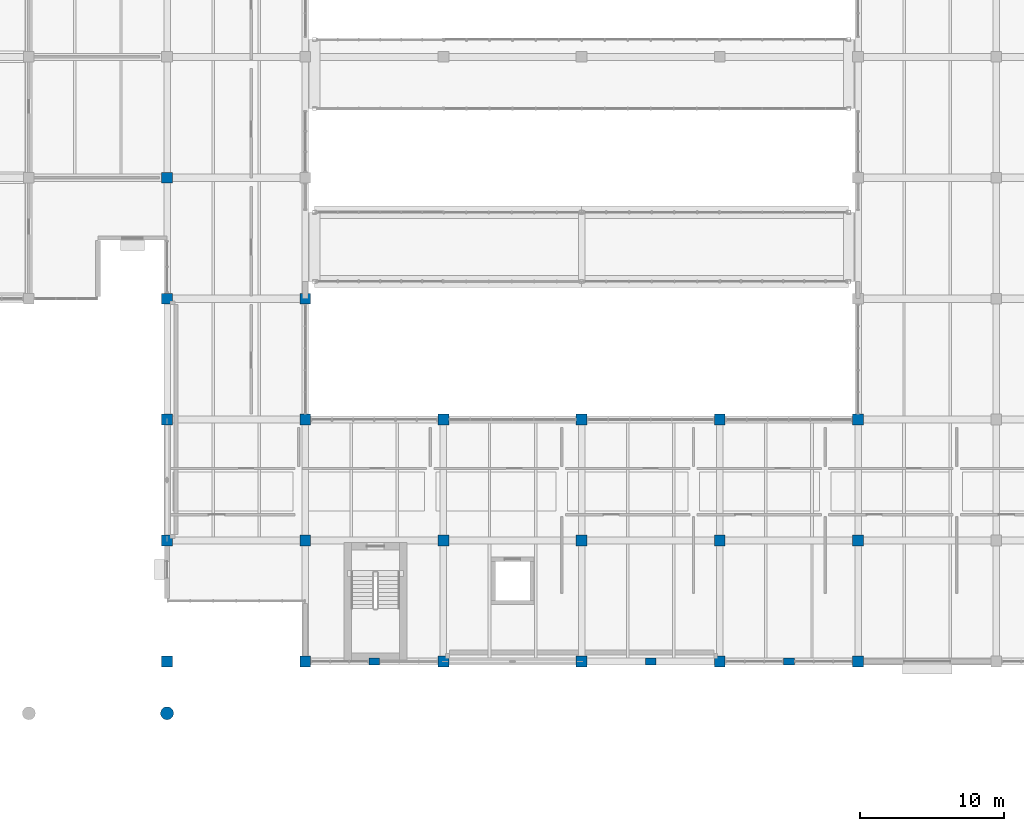
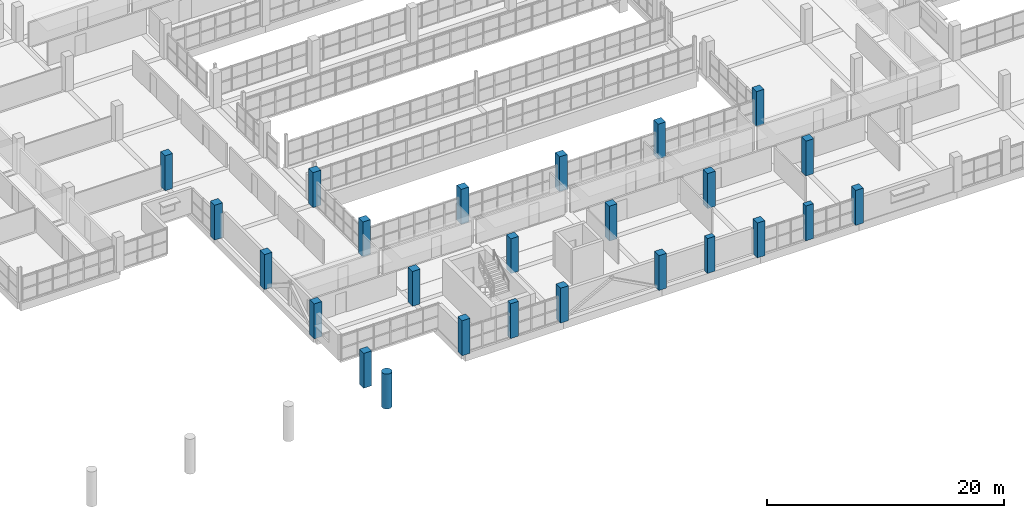
# One storey, part 14 of 147: 25 columns.
"""IFC4 building model written with IfcOpenShell, lengths in metres."""

import ifcopenshell
import ifcopenshell.guid

model = None  # the IFC model being written
_history = None  # IfcOwnerHistory: only IFC2X3 demands one
_inside = {}  # id of a spatial element -> (the spatial element, [elements in it])
_under = {}  # id of a project, library or spatial element -> (it, [spatial elements below it])
_declared = {}  # id of a project -> (the project, [libraries it declares])
_typed = {}  # id of a type object -> (the type object, [elements of that type])
_made_of = {}  # id of a material, layer set ... -> (it, [elements and type objects made of it])


def new_model(schema):
    """Start an empty IFC model of exactly this schema.

    Asked for "IFC4X3", IfcOpenShell would pick the latest addendum, in which some entities
    have other attributes; the version numbers below select the first issue.
    IFC2X3 requires an IfcOwnerHistory on every rooted entity: one is made here for all.
    """
    global model, _history
    if schema == "IFC4X3":
        model = ifcopenshell.file(schema_version=(4, 3, 0, 0))
    else:
        model = ifcopenshell.file(schema=schema)
    _inside.clear()
    _under.clear()
    _declared.clear()
    _typed.clear()
    _made_of.clear()
    _history = None
    if model.schema == "IFC2X3":
        org = make("IfcOrganization", Name="unknown")
        user = make(
            "IfcPersonAndOrganization",
            ThePerson=make("IfcPerson", FamilyName="unknown"),
            TheOrganization=org,
        )
        app = make(
            "IfcApplication",
            ApplicationDeveloper=org,
            Version="unknown",
            ApplicationFullName="unknown",
            ApplicationIdentifier="unknown",
        )
        _history = make(
            "IfcOwnerHistory",
            OwningUser=user,
            OwningApplication=app,
            ChangeAction="ADDED",
            CreationDate=0,
        )
    return model


def make(cls, **values):
    """One entity of the class cls with the attributes given. An attribute that is None is left unset."""
    return model.create_entity(
        cls, **{name: value for name, value in values.items() if value is not None}
    )


def rooted(cls, **values):
    """An entity with a GlobalId (a new one), such as an element, a storey or a relation."""
    return make(cls, GlobalId=ifcopenshell.guid.new(), OwnerHistory=_history, **values)


def si_unit(unit_type, name, prefix=None):
    """IfcSIUnit, for example si_unit("LENGTHUNIT", "METRE", prefix="MILLI")."""
    return make("IfcSIUnit", UnitType=unit_type, Prefix=prefix, Name=name)


def assignment(units):
    """IfcUnitAssignment: the units of a project."""
    return None if units is None else make("IfcUnitAssignment", Units=units)


def point(xyz):
    """IfcCartesianPoint."""
    return None if xyz is None else make("IfcCartesianPoint", Coordinates=xyz)


def direction(xyz):
    """IfcDirection."""
    return None if xyz is None else make("IfcDirection", DirectionRatios=xyz)


def frame(location, z_axis=None, x_axis=None):
    """IfcAxis2Placement3D, a coordinate frame: its origin and axes. An axis left out is left unset."""
    return make(
        "IfcAxis2Placement3D",
        Location=point(location),
        Axis=direction(z_axis),
        RefDirection=direction(x_axis),
    )


def frame_2d(location, x_axis=None):
    """IfcAxis2Placement2D, a coordinate frame in the plane: its origin and x axis."""
    return make(
        "IfcAxis2Placement2D", Location=point(location), RefDirection=direction(x_axis)
    )


def origin():
    """The frame at (0, 0, 0) with its axes left unset."""
    return frame((0.0, 0.0, 0.0))


def origin_2d():
    """The frame at (0, 0) in the plane with its x axis left unset."""
    return frame_2d((0.0, 0.0))


def place(relative_to, where):
    """IfcLocalPlacement: puts the frame where relative to a parent placement (None: the world)."""
    return make(
        "IfcLocalPlacement", PlacementRelTo=relative_to, RelativePlacement=where
    )


def context(
    kind, dimensions, precision=None, world=None, true_north=None, identifier=None
):
    """IfcGeometricRepresentationContext, for example the 3D "Model" context."""
    return make(
        "IfcGeometricRepresentationContext",
        ContextIdentifier=identifier,
        ContextType=kind,
        CoordinateSpaceDimension=dimensions,
        Precision=precision,
        WorldCoordinateSystem=world,
        TrueNorth=true_north,
    )


def subcontext(parent, identifier, kind, view, scale=None):
    """IfcGeometricRepresentationSubContext, for example "Body" below "Model"."""
    return make(
        "IfcGeometricRepresentationSubContext",
        ContextIdentifier=identifier,
        ContextType=kind,
        ParentContext=parent,
        TargetScale=scale,
        TargetView=view,
    )


def project(units=None, contexts=None):
    """IfcProject with its units and contexts."""
    return rooted(
        "IfcProject",
        Name="project",
        RepresentationContexts=contexts,
        UnitsInContext=assignment(units),
    )


def spatial(cls, under=None, at=None, **own):
    """A site, building, storey or space (cls), placed at a placement, below another one or the project."""
    s = rooted(cls, ObjectPlacement=at, **own)
    if under is not None:
        _under.setdefault(under.id(), (under, []))[1].append(s)
    return s


def profile(cls, at=None, kind="AREA", **sizes):
    """A parametric profile (cls). Its sizes go by their IFC names, for example OverallWidth=200.0."""
    return make(cls, ProfileType=kind, Position=at, **sizes)


def rectangle(**sizes):
    """IfcRectangleProfileDef."""
    return profile("IfcRectangleProfileDef", **sizes)


def circle(**sizes):
    """IfcCircleProfileDef."""
    return profile("IfcCircleProfileDef", **sizes)


def extrude(swept, where, along, depth):
    """IfcExtrudedAreaSolid: the profile swept, set in the frame where, extruded along a direction by depth."""
    return make(
        "IfcExtrudedAreaSolid",
        SweptArea=swept,
        Position=where,
        ExtrudedDirection=direction(along),
        Depth=depth,
    )


def shape(context_of_items, identifier, shape_type, items):
    """IfcShapeRepresentation: the items that make up one representation, for example the "Body"."""
    return make(
        "IfcShapeRepresentation",
        ContextOfItems=context_of_items,
        RepresentationIdentifier=identifier,
        RepresentationType=shape_type,
        Items=items,
    )


def material(Name=None, Category=None):
    """IfcMaterial."""
    return make("IfcMaterial", Name=Name, Category=Category)


def material_profile(
    of_material, cross_section, Name=None, Category=None, Priority=None
):
    """IfcMaterialProfile: a cross section and its material."""
    return make(
        "IfcMaterialProfile",
        Name=Name,
        Material=of_material,
        Profile=cross_section,
        Priority=Priority,
        Category=Category,
    )


def profile_set(profiles, Name=None, composite=None):
    """IfcMaterialProfileSet."""
    return make(
        "IfcMaterialProfileSet",
        Name=Name,
        MaterialProfiles=profiles,
        CompositeProfile=composite,
    )


def made_of(thing, what):
    """Note that an element or type object is made of a material, layer set ...; save() writes the relation."""
    if what is not None:
        _made_of.setdefault(what.id(), (what, []))[1].append(thing)
    return thing


def type_object(cls, material=None, **own):
    """A type object (cls), such as IfcWallType, which elements share."""
    return made_of(rooted(cls, **own), material)


def element(
    cls,
    number,
    at=None,
    inside=None,
    cuts=None,
    type_object=None,
    material=None,
    context=None,
    identifier="Body",
    shape_type=None,
    held_by="IfcProductDefinitionShape",
    body=None,
    shapes=None,
    **own,
):
    """One element of the class cls, such as IfcWall. Its Tag is "e" and its number.

    at: its placement. inside: the storey or other place that contains it. cuts: it is an
    opening in that element (IfcRelVoidsElement). A single representation is given by context,
    identifier, shape_type and body (its items); several are given by shapes. held_by: the class
    of the entity that holds the representations. save() writes the other relations.
    """
    e = rooted(cls, Tag="e%d" % number, ObjectPlacement=at, **own)
    if body is not None:
        shapes = [shape(context, identifier, shape_type, body)]
    if shapes is not None:
        e.Representation = make(held_by, Representations=shapes)
    if inside is not None:
        _inside.setdefault(inside.id(), (inside, []))[1].append(e)
    if cuts is not None:
        rooted(
            "IfcRelVoidsElement", RelatingBuildingElement=cuts, RelatedOpeningElement=e
        )
    if type_object is not None:
        _typed.setdefault(type_object.id(), (type_object, []))[1].append(e)
    return made_of(e, material)


def aggregate(whole, parts):
    """IfcRelAggregates: a whole, such as a stair, and the parts it consists of."""
    return rooted("IfcRelAggregates", RelatingObject=whole, RelatedObjects=parts)


def save(model, path):
    """Write the relations noted so far, then the file.

    IfcRelAggregates (storeys below a building ...), IfcRelContainedInSpatialStructure (elements
    in a storey), IfcRelDefinesByType, IfcRelAssociatesMaterial and IfcRelDeclares: one each for
    every whole, place, type object, material and project.
    """
    for whole, parts in _under.values():
        aggregate(whole, parts)
    for where, things in _inside.values():
        rooted(
            "IfcRelContainedInSpatialStructure",
            RelatedElements=things,
            RelatingStructure=where,
        )
    for kind, things in _typed.values():
        rooted("IfcRelDefinesByType", RelatedObjects=things, RelatingType=kind)
    for what, things in _made_of.values():
        rooted("IfcRelAssociatesMaterial", RelatedObjects=things, RelatingMaterial=what)
    for by, libraries in _declared.values():
        rooted("IfcRelDeclares", RelatingContext=by, RelatedDefinitions=libraries)
    model.write(path)


model = new_model("IFC4")

# Units and contexts
model_context = context("Model", 3, precision=1e-05, world=origin(), true_north=direction((0.0, 1.0)))
body_context = subcontext(model_context, "Body", "Model", "MODEL_VIEW")
ifc_project = project(units=[si_unit("LENGTHUNIT", "METRE"), si_unit("AREAUNIT", "SQUARE_METRE"), si_unit("VOLUMEUNIT", "CUBIC_METRE"), si_unit("PLANEANGLEUNIT", "RADIAN"), si_unit("MASSUNIT", "GRAM", prefix="KILO")], contexts=[model_context])

# Site, building, storey
site_placement = place(None, origin())
site = spatial("IfcSite", under=ifc_project, at=site_placement, CompositionType="ELEMENT")
building_placement = place(site_placement, origin())
building = spatial("IfcBuilding", under=site, at=building_placement, Name="Oolite Switchyard Hospital", CompositionType="ELEMENT")
storey_placement = place(building_placement, frame((0.0, 0.0, 9.89990234375)))
storey = spatial("IfcBuildingStorey", under=building, at=storey_placement, Name="L02", CompositionType="ELEMENT", Elevation=9.89990234375)

# Columns
ifc_material_1 = material(Name="Precast concrete C40/50", Category="concrete")
ifc_material_profile_1 = material_profile(ifc_material_1, circle(Radius=0.449951171875, at=origin_2d()), Name="RCCOL900")
ifc_profile_set_1 = profile_set([ifc_material_profile_1], Name="Precast concrete C40/50")
column_type_1 = type_object("IfcColumnType", Name="COL-PORT900", PredefinedType="COLUMN", material=ifc_profile_set_1)
column_placement = place(storey_placement, frame((134.39990234375, 4.800048828125, 0.0), z_axis=(0.0, 0.0, 1.0), x_axis=(1.0, 0.0, 0.0)))
element("IfcColumn", 1, at=column_placement, inside=storey, type_object=column_type_1, Name="L02 Column 793", PredefinedType="COLUMN", context=body_context, shape_type="SweptSolid", body=[
    extrude(circle(Radius=0.449951171875, at=origin_2d()), origin(), (0.0, 0.0, 1.0), 3.60009765625),
])
ifc_material_2 = material(Name="Concrete C50/60", Category="concrete")
ifc_material_profile_2 = material_profile(ifc_material_2, rectangle(XDim=0.75, YDim=0.75, at=origin_2d()), Name="RC750X750")
ifc_profile_set_2 = profile_set([ifc_material_profile_2], Name="Concrete C50/60")
column_type_2 = type_object("IfcColumnType", Name="COL-RC750", PredefinedType="COLUMN", material=ifc_profile_set_2)
for number, where, z_axis, x_axis, name in (
    (2, (134.39990234375, 8.39990234375, 0.0), (0.0, 0.0, 1.0), (1.0, 0.0, 0.0), "L02 Column 794"),
    (3, (134.39990234375, 16.800048828125, 0.0), (0.0, 0.0, 1.0), (1.0, 0.0, 0.0), "L02 Column 795"),
    (4, (134.39990234375, 25.199951171875, 0.0), (0.0, 0.0, 1.0), (1.0, 0.0, 0.0), "L02 Column 796"),
    (5, (134.39990234375, 33.60009765625, 0.0), (0.0, 0.0, 1.0), (1.0, 0.0, 0.0), "L02 Column 797"),
    (6, (134.39990234375, 42.0, 0.0), (0.0, 0.0, 1.0), (1.0, 0.0, 0.0), "L02 Column 798"),
    (7, (144.0, 8.39990234375, 0.0), (0.0, 0.0, 1.0), (1.0, 0.0, 0.0), "L02 Column 810"),
    (8, (144.0, 16.800048828125, 0.0), (0.0, 0.0, 1.0), (1.0, 0.0, 0.0), "L02 Column 811"),
    (9, (144.0, 25.199951171875, 0.0), (0.0, 0.0, 1.0), (1.0, 0.0, 0.0), "L02 Column 812"),
    (10, (144.0, 33.60009765625, 0.0), (0.0, 0.0, 1.0), (1.0, 0.0, 0.0), "L02 Column 813"),
    (11, (153.60009765625, 8.39990234375, 0.0), (0.0, 0.0, 1.0), (1.0, 0.0, 0.0), "L02 Column 830"),
    (12, (153.60009765625, 16.800048828125, 0.0), (0.0, 0.0, 1.0), (1.0, 0.0, 0.0), "L02 Column 831"),
    (13, (153.60009765625, 25.199951171875, 0.0), (0.0, 0.0, 1.0), (1.0, 0.0, 0.0), "L02 Column 832"),
    (14, (163.199951171875, 8.39990234375, 0.0), (0.0, 0.0, 1.0), (1.0, 0.0, 0.0), "L02 Column 844"),
    (15, (163.199951171875, 16.800048828125, 0.0), (0.0, 0.0, 1.0), (1.0, 0.0, 0.0), "L02 Column 845"),
    (16, (163.199951171875, 25.199951171875, 0.0), (0.0, 0.0, 1.0), (1.0, 0.0, 0.0), "L02 Column 846"),
    (17, (172.800048828125, 8.39990234375, 0.0), (0.0, 0.0, 1.0), (1.0, 0.0, 0.0), "L02 Column 860"),
    (18, (172.800048828125, 16.800048828125, 0.0), (0.0, 0.0, 1.0), (1.0, 0.0, 0.0), "L02 Column 861"),
    (19, (172.800048828125, 25.199951171875, 0.0), (0.0, 0.0, 1.0), (1.0, 0.0, 0.0), "L02 Column 862"),
    (20, (182.39990234375, 8.39990234375, 0.0), (0.0, 0.0, 1.0), (1.0, 0.0, 0.0), "L02 Column 878"),
    (21, (182.39990234375, 16.800048828125, 0.0), (0.0, 0.0, 1.0), (1.0, 0.0, 0.0), "L02 Column 879"),
    (22, (182.39990234375, 25.199951171875, 0.0), (0.0, 0.0, 1.0), (1.0, 0.0, 0.0), "L02 Column 880"),
):
    element("IfcColumn", number, at=place(storey_placement, frame(where, z_axis=z_axis, x_axis=x_axis)), inside=storey, type_object=column_type_2, Name=name, PredefinedType="COLUMN", context=body_context, shape_type="SweptSolid", body=[
        extrude(rectangle(XDim=0.75, YDim=0.75, at=origin_2d()), origin(), (0.0, 0.0, 1.0), 3.60009765625),
    ])
ifc_material_profile_3 = material_profile(ifc_material_1, rectangle(XDim=0.75, YDim=0.5, at=origin_2d()), Name="PIL750X500")
ifc_profile_set_3 = profile_set([ifc_material_profile_3], Name="Precast concrete C40/50")
column_type_3 = type_object("IfcColumnType", Name="PIL-750X500", PredefinedType="PILASTER", material=ifc_profile_set_3)
for number, where, z_axis, x_axis, name in (
    (23, (148.800048828125, 8.39990234375, 0.0), (0.0, 0.0, 1.0), (1.0, 0.0, 0.0), "L02 Classical Pilaster 33"),
    (24, (168.0, 8.39990234375, 0.0), (0.0, 0.0, 1.0), (1.0, 0.0, 0.0), "L02 Classical Pilaster 34"),
    (25, (177.60009765625, 8.39990234375, 0.0), (0.0, 0.0, 1.0), (1.0, 0.0, 0.0), "L02 Classical Pilaster 35"),
):
    element("IfcColumn", number, at=place(storey_placement, frame(where, z_axis=z_axis, x_axis=x_axis)), inside=storey, type_object=column_type_3, Name=name, PredefinedType="PILASTER", context=body_context, shape_type="SweptSolid", body=[
        extrude(rectangle(XDim=0.75, YDim=0.5, at=origin_2d()), origin(), (0.0, 0.0, 1.0), 3.60009765625),
    ])

save(model, "model.ifc")
